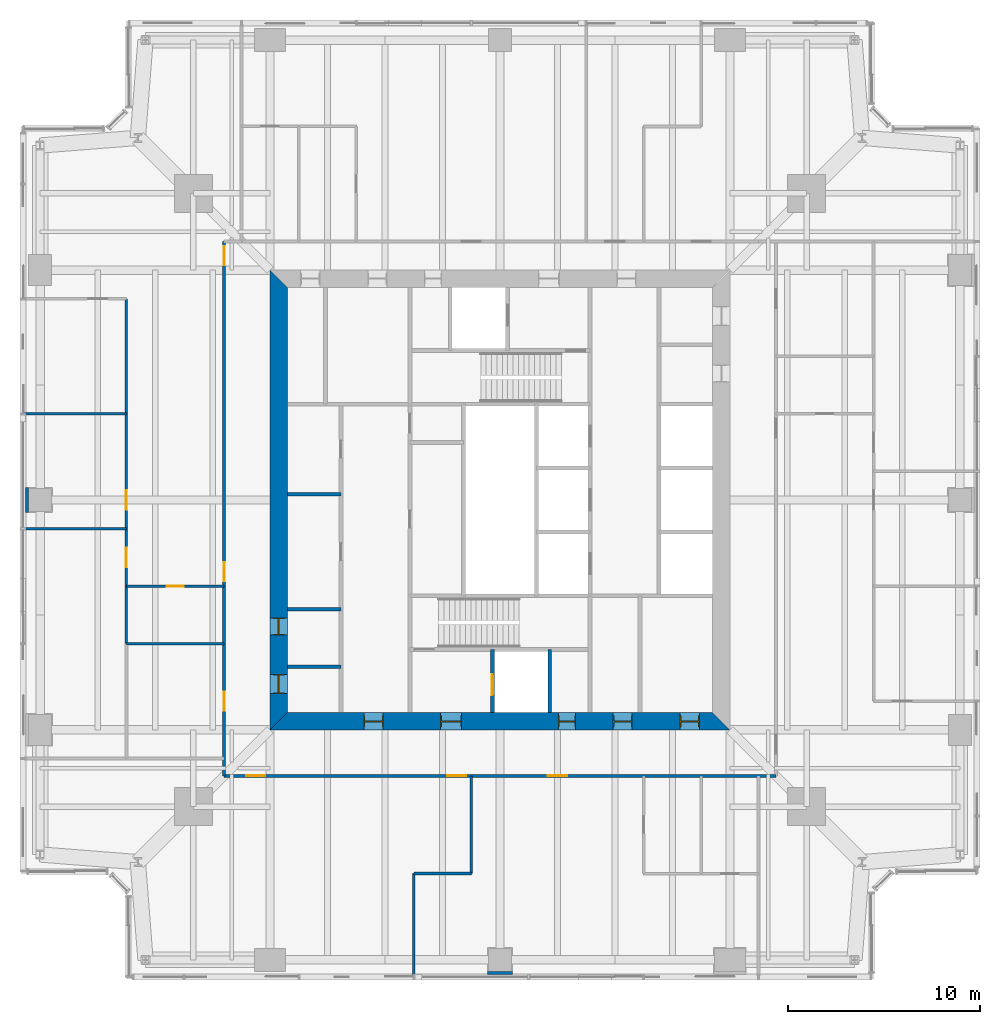
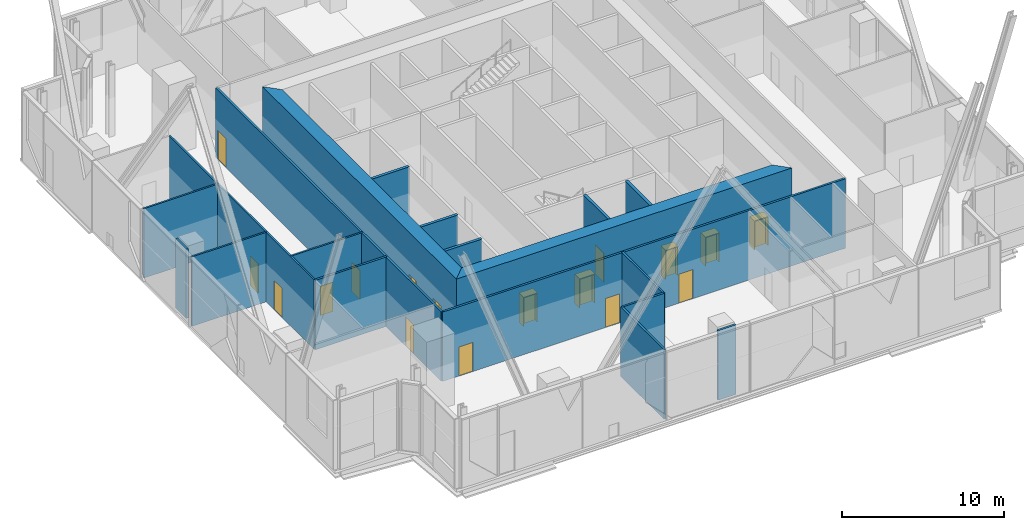
# One storey, part 9 of 14: 19 walls, 17 doors, 17 openings.
"""IFC4 building model written with IfcOpenShell, lengths in metres."""

from ifc_helpers import new_model, si_unit, direction, frame, frame_2d, origin, place, context, subcontext, project, spatial, polyline, rectangle, outline, extrude, material, layer, layer_set, type_object, element, fill, save


model = new_model("IFC4")

# Units and contexts
model_context = context("Model", 3, precision=1e-05, world=origin(), true_north=direction((0.0, 1.0)))
body_context = subcontext(model_context, "Body", "Model", "MODEL_VIEW")
ifc_project = project(units=[si_unit("LENGTHUNIT", "METRE"), si_unit("AREAUNIT", "SQUARE_METRE"), si_unit("VOLUMEUNIT", "CUBIC_METRE"), si_unit("PLANEANGLEUNIT", "RADIAN"), si_unit("MASSUNIT", "GRAM", prefix="KILO")], contexts=[model_context])

# Site, building, storey
site_placement = place(None, origin())
site = spatial("IfcSite", under=ifc_project, at=site_placement, CompositionType="ELEMENT")
building_placement = place(site_placement, origin())
building = spatial("IfcBuilding", under=site, at=building_placement, Name="Fenwick Lantern Interchange", CompositionType="ELEMENT")
storey_placement = place(building_placement, frame((0.0, 0.0, 168.39990234375)))
storey = spatial("IfcBuildingStorey", under=building, at=storey_placement, Name="L39", CompositionType="ELEMENT", Elevation=168.39990234375)

# Walls
ifc_material_1 = material(Name="Fire-rated gypsum board encasement on steel studs, 2 hour", Category="steel")
ifc_layer_1 = layer(ifc_material_1, 1.300048828125)
ifc_layer_set_1 = layer_set([ifc_layer_1], Name="COLUMN PIER 1300")
wall_type_1 = type_object("IfcWallType", Name="COLUMN PIER 1300", PredefinedType="PARTITIONING", material=ifc_layer_set_1)
for number, where, z_axis, x_axis, name in (
    (1, (25.0, 0.25, 0.0), (0.0, 0.0, 1.0), (0.0, 1.0, 0.0), "L39/W/PIER/CS3"),
    (2, (0.25, 25.0, 0.0), (0.0, 0.0, 1.0), (1.0, 0.0, 0.0), "L39/W/PIER/CW3"),
):
    element("IfcWall", number, at=place(storey_placement, frame(where, z_axis=z_axis, x_axis=x_axis)), inside=storey, type_object=wall_type_1, Name=name, PredefinedType="PARTITIONING", context=body_context, shape_type="SweptSolid", body=[
        extrude(rectangle(XDim=0.14990234375, YDim=1.300048828125, at=frame_2d((0.074951171875, 0.0))), origin(), (0.0, 0.0, 1.0), 5.25),
    ])

# Wall, opening, door
ifc_material_2 = material(Name="Concrete masonry ASTM C90 Grade N", Category="masonry")
ifc_layer_2 = layer(ifc_material_2, 0.199951171875)
ifc_layer_set_2 = layer_set([ifc_layer_2], Name="Concrete masonry ASTM C90 Grade N")
wall_type_2 = type_object("IfcWallType", Name="CORE PARTITION 200", PredefinedType="PARTITIONING", material=ifc_layer_set_2)
wall_1_placement = place(storey_placement, frame((24.60009765625, 13.89990234375, 0.0), z_axis=(0.0, 0.0, 1.0), x_axis=(0.0, 1.0, 0.0)))
wall_1 = element("IfcWall", 3, at=wall_1_placement, inside=storey, type_object=wall_type_2, Name="L39/W/CORES/h1", PredefinedType="PARTITIONING", context=body_context, shape_type="SweptSolid", body=[
    extrude(rectangle(XDim=3.300048828125, YDim=0.199951171875, at=frame_2d((1.64990234375, 0.0))), origin(), (0.0, 0.0, 1.0), 5.2001953125),
])
opening_1_placement = place(wall_1_placement, frame((0.89990234375, 0.0, 0.0)))
opening_1 = element("IfcOpeningElement", 4, at=opening_1_placement, cuts=wall_1, Name="Opening LD-FL1", PredefinedType="OPENING", context=body_context, shape_type="SweptSolid", body=[
    extrude(rectangle(XDim=1.10009765625, YDim=2.199951171875, at=frame_2d((0.550048828125, 1.10009765625))), frame((0.0, 0.10986328125, 0.0), z_axis=(0.0, -1.0, 0.0), x_axis=(1.0, 0.0, 0.0)), (0.0, 0.0, 1.0), 0.219970703125),
])
ifc_material_3 = material(Name="Steel door and frame", Category="steel")
door_type_1 = type_object("IfcDoorType", Name="LIFT LANDING DOOR 1100 X 2200", OperationType="DOUBLE_DOOR_SLIDING", PredefinedType="DOOR", material=ifc_material_3)
door_1_placement = place(opening_1_placement, origin())
door_1 = element("IfcDoor", 5, at=door_1_placement, inside=storey, type_object=door_type_1, Name="Lift landing door FL1", OperationType="DOUBLE_DOOR_SLIDING", OverallHeight=2.199951171875, OverallWidth=1.10009765625, PredefinedType="DOOR", context=body_context, shape_type="SweptSolid", body=[
    extrude(rectangle(XDim=1.10009765625, YDim=2.199951171875, at=frame_2d((0.550048828125, 1.10009765625))), frame((0.0, 0.02490234375, 0.0), z_axis=(0.0, -1.0, 0.0), x_axis=(1.0, 0.0, 0.0)), (0.0, 0.0, 1.0), 0.050048828125),
])
fill(opening_1, door_1)

# Walls
wall_2_placement = place(storey_placement, frame((27.60009765625, 13.89990234375, 0.0), z_axis=(0.0, 0.0, 1.0), x_axis=(0.0, 1.0, 0.0)))
element("IfcWall", 6, at=wall_2_placement, inside=storey, type_object=wall_type_2, Name="L39/W/CORES/h2", PredefinedType="PARTITIONING", context=body_context, shape_type="SweptSolid", body=[
    extrude(rectangle(XDim=3.300048828125, YDim=0.199951171875, at=frame_2d((1.64990234375, 0.0))), origin(), (0.0, 0.0, 1.0), 5.2001953125),
])
for number, where, z_axis, x_axis, name in (
    (7, (13.89990234375, 16.300048828125, 0.0), (0.0, 0.0, 1.0), (1.0, 0.0, 0.0), "L39/W/CORES/p1"),
    (8, (13.89990234375, 19.300048828125, 0.0), (0.0, 0.0, 1.0), (1.0, 0.0, 0.0), "L39/W/CORES/p2"),
    (9, (13.89990234375, 25.300048828125, 0.0), (0.0, 0.0, 1.0), (1.0, 0.0, 0.0), "L39/W/CORES/p3"),
):
    element("IfcWall", number, at=place(storey_placement, frame(where, z_axis=z_axis, x_axis=x_axis)), inside=storey, type_object=wall_type_2, Name=name, PredefinedType="PARTITIONING", context=body_context, shape_type="SweptSolid", body=[
        extrude(rectangle(XDim=2.800048828125, YDim=0.199951171875, at=frame_2d((1.39990234375, 0.0))), origin(), (0.0, 0.0, 1.0), 5.2001953125),
    ])

# Wall, openings, doors
ifc_material_4 = material(Name="Concrete f'c 70 MPa", Category="concrete")
ifc_layer_3 = layer(ifc_material_4, 0.89990234375)
ifc_layer_set_3 = layer_set([ifc_layer_3], Name="CORE WALL 900")
wall_type_3 = type_object("IfcWallType", Name="CORE WALL 900", PredefinedType="SHEAR", material=ifc_layer_set_3)
wall_3_placement = place(storey_placement, frame((13.0, 13.449951171875, 0.0), z_axis=(0.0, 0.0, 1.0), x_axis=(1.0, 0.0, 0.0)))
wall_3 = element("IfcWall", 10, at=wall_3_placement, inside=storey, type_object=wall_type_3, Name="L39/CORE/S", PredefinedType="SHEAR", context=body_context, shape_type="SweptSolid", body=[
    extrude(outline(polyline([(0.0, -0.449951171875), (24.0, -0.449951171875), (23.10009765625, 0.449951171875), (0.89990234375, 0.449951171875), (0.0, -0.449951171875)])), origin(), (0.0, 0.0, 1.0), 5.400146484375),
])
opening_2_placement = place(wall_3_placement, frame((4.89990234375, 0.0, 0.0)))
opening_2 = element("IfcOpeningElement", 11, at=opening_2_placement, cuts=wall_3, Name="Opening L39-D001", PredefinedType="OPENING", context=body_context, shape_type="SweptSolid", body=[
    extrude(rectangle(XDim=1.0, YDim=2.199951171875, at=frame_2d((0.5, 1.10009765625))), frame((0.0, 0.4599609375, 0.0), z_axis=(0.0, -1.0, 0.0), x_axis=(1.0, 0.0, 0.0)), (0.0, 0.0, 1.0), 0.919921875),
])
opening_3_placement = place(wall_3_placement, frame((8.89990234375, 0.0, 0.0)))
opening_3 = element("IfcOpeningElement", 12, at=opening_3_placement, cuts=wall_3, Name="Opening L39-D002", PredefinedType="OPENING", context=body_context, shape_type="SweptSolid", body=[
    extrude(rectangle(XDim=1.10009765625, YDim=2.199951171875, at=frame_2d((0.550048828125, 1.10009765625))), frame((0.0, 0.4599609375, 0.0), z_axis=(0.0, -1.0, 0.0), x_axis=(1.0, 0.0, 0.0)), (0.0, 0.0, 1.0), 0.919921875),
])
opening_4_placement = place(wall_3_placement, frame((15.050048828125, 0.0, 0.0)))
opening_4 = element("IfcOpeningElement", 13, at=opening_4_placement, cuts=wall_3, Name="Opening L39-D004", PredefinedType="OPENING", context=body_context, shape_type="SweptSolid", body=[
    extrude(rectangle(XDim=0.89990234375, YDim=2.199951171875, at=frame_2d((0.449951171875, 1.10009765625))), frame((0.0, 0.4599609375, 0.0), z_axis=(0.0, -1.0, 0.0), x_axis=(1.0, 0.0, 0.0)), (0.0, 0.0, 1.0), 0.919921875),
])
opening_5_placement = place(wall_3_placement, frame((17.89990234375, 0.0, 0.0)))
opening_5 = element("IfcOpeningElement", 14, at=opening_5_placement, cuts=wall_3, Name="Opening L39-D005", PredefinedType="OPENING", context=body_context, shape_type="SweptSolid", body=[
    extrude(rectangle(XDim=1.0, YDim=2.199951171875, at=frame_2d((0.5, 1.10009765625))), frame((0.0, 0.4599609375, 0.0), z_axis=(0.0, -1.0, 0.0), x_axis=(1.0, 0.0, 0.0)), (0.0, 0.0, 1.0), 0.919921875),
])
opening_6_placement = place(wall_3_placement, frame((21.39990234375, 0.0, 0.0)))
opening_6 = element("IfcOpeningElement", 15, at=opening_6_placement, cuts=wall_3, Name="Opening L39-D006", PredefinedType="OPENING", context=body_context, shape_type="SweptSolid", body=[
    extrude(rectangle(XDim=1.0, YDim=2.199951171875, at=frame_2d((0.5, 1.10009765625))), frame((0.0, 0.4599609375, 0.0), z_axis=(0.0, -1.0, 0.0), x_axis=(1.0, 0.0, 0.0)), (0.0, 0.0, 1.0), 0.919921875),
])
door_type_2 = type_object("IfcDoorType", Name="CORE LOBBY DOOR 1000 X 2200", OperationType="SINGLE_SWING_LEFT", PredefinedType="DOOR", material=ifc_material_3)
door_2_placement = place(opening_2_placement, origin())
door_2 = element("IfcDoor", 16, at=door_2_placement, inside=storey, type_object=door_type_2, Name="Core lobby door", OperationType="SINGLE_SWING_LEFT", OverallHeight=2.199951171875, OverallWidth=1.0, PredefinedType="DOOR", context=body_context, shape_type="SweptSolid", body=[
    extrude(rectangle(XDim=1.0, YDim=2.199951171875, at=frame_2d((0.5, 1.10009765625))), frame((0.0, 0.02490234375, 0.0), z_axis=(0.0, -1.0, 0.0), x_axis=(1.0, 0.0, 0.0)), (0.0, 0.0, 1.0), 0.050048828125),
    extrude(outline(polyline([(0.0, 0.0), (0.0400390625, 0.0), (0.0400390625, 2.159912109375), (0.9599609375, 2.159912109375), (0.9599609375, 0.0), (1.0, 0.0), (1.0, 2.199951171875), (0.0, 2.199951171875), (0.0, 0.0)])), frame((0.0, 0.300048828125, 0.0), z_axis=(0.0, -1.0, 0.0), x_axis=(1.0, 0.0, 0.0)), (0.0, 0.0, 1.0), 0.60009765625),
])
fill(opening_2, door_2)
door_type_3 = type_object("IfcDoorType", Name="FIRE LOBBY DOOR 1100 X 2200", OperationType="SINGLE_SWING_LEFT", PredefinedType="DOOR", material=ifc_material_3)
door_3_placement = place(opening_3_placement, origin())
door_3 = element("IfcDoor", 17, at=door_3_placement, inside=storey, type_object=door_type_3, Name="Fire lobby door", OperationType="SINGLE_SWING_LEFT", OverallHeight=2.199951171875, OverallWidth=1.10009765625, PredefinedType="DOOR", context=body_context, shape_type="SweptSolid", body=[
    extrude(rectangle(XDim=1.10009765625, YDim=2.199951171875, at=frame_2d((0.550048828125, 1.10009765625))), frame((0.0, 0.02490234375, 0.0), z_axis=(0.0, -1.0, 0.0), x_axis=(1.0, 0.0, 0.0)), (0.0, 0.0, 1.0), 0.050048828125),
    extrude(outline(polyline([(0.0, 0.0), (0.0400390625, 0.0), (0.0400390625, 2.159912109375), (1.06005859375, 2.159912109375), (1.06005859375, 0.0), (1.10009765625, 0.0), (1.10009765625, 2.199951171875), (0.0, 2.199951171875), (0.0, 0.0)])), frame((0.0, 0.300048828125, 0.0), z_axis=(0.0, -1.0, 0.0), x_axis=(1.0, 0.0, 0.0)), (0.0, 0.0, 1.0), 0.60009765625),
])
fill(opening_3, door_3)
door_type_4 = type_object("IfcDoorType", Name="SERVICE DOOR 900 X 2200", OperationType="SINGLE_SWING_LEFT", PredefinedType="DOOR", material=ifc_material_3)
door_4_placement = place(opening_4_placement, origin())
door_4 = element("IfcDoor", 18, at=door_4_placement, inside=storey, type_object=door_type_4, Name="Service door", OperationType="SINGLE_SWING_LEFT", OverallHeight=2.199951171875, OverallWidth=0.89990234375, PredefinedType="DOOR", context=body_context, shape_type="SweptSolid", body=[
    extrude(rectangle(XDim=0.89990234375, YDim=2.199951171875, at=frame_2d((0.449951171875, 1.10009765625))), frame((0.0, 0.02490234375, 0.0), z_axis=(0.0, -1.0, 0.0), x_axis=(1.0, 0.0, 0.0)), (0.0, 0.0, 1.0), 0.050048828125),
    extrude(outline(polyline([(0.0, 0.0), (0.0400390625, 0.0), (0.0400390625, 2.159912109375), (0.85986328125, 2.159912109375), (0.85986328125, 0.0), (0.89990234375, 0.0), (0.89990234375, 2.199951171875), (0.0, 2.199951171875), (0.0, 0.0)])), frame((0.0, 0.300048828125, 0.0), z_axis=(0.0, -1.0, 0.0), x_axis=(1.0, 0.0, 0.0)), (0.0, 0.0, 1.0), 0.60009765625),
])
fill(opening_4, door_4)
ifc_material_5 = material(Name="Hardwood door and steel frame", Category="steel")
door_type_5 = type_object("IfcDoorType", Name="WC DOOR 1000 X 2200", OperationType="SINGLE_SWING_LEFT", PredefinedType="DOOR", material=ifc_material_5)
door_5_placement = place(opening_5_placement, origin())
door_5 = element("IfcDoor", 19, at=door_5_placement, inside=storey, type_object=door_type_5, Name="Wc door", OperationType="SINGLE_SWING_RIGHT", OverallHeight=2.199951171875, OverallWidth=1.0, PredefinedType="DOOR", context=body_context, shape_type="SweptSolid", body=[
    extrude(rectangle(XDim=1.0, YDim=2.199951171875, at=frame_2d((0.5, 1.10009765625))), frame((0.0, 0.02490234375, 0.0), z_axis=(0.0, -1.0, 0.0), x_axis=(1.0, 0.0, 0.0)), (0.0, 0.0, 1.0), 0.050048828125),
    extrude(outline(polyline([(0.0, 0.0), (0.0400390625, 0.0), (0.0400390625, 2.159912109375), (0.9599609375, 2.159912109375), (0.9599609375, 0.0), (1.0, 0.0), (1.0, 2.199951171875), (0.0, 2.199951171875), (0.0, 0.0)])), frame((0.0, 0.300048828125, 0.0), z_axis=(0.0, -1.0, 0.0), x_axis=(1.0, 0.0, 0.0)), (0.0, 0.0, 1.0), 0.60009765625),
])
fill(opening_5, door_5)
door_6_placement = place(opening_6_placement, origin())
door_6 = element("IfcDoor", 20, at=door_6_placement, inside=storey, type_object=door_type_5, Name="Wc door", OperationType="SINGLE_SWING_RIGHT", OverallHeight=2.199951171875, OverallWidth=1.0, PredefinedType="DOOR", context=body_context, shape_type="SweptSolid", body=[
    extrude(rectangle(XDim=1.0, YDim=2.199951171875, at=frame_2d((0.5, 1.10009765625))), frame((0.0, 0.02490234375, 0.0), z_axis=(0.0, -1.0, 0.0), x_axis=(1.0, 0.0, 0.0)), (0.0, 0.0, 1.0), 0.050048828125),
    extrude(outline(polyline([(0.0, 0.0), (0.0400390625, 0.0), (0.0400390625, 2.159912109375), (0.9599609375, 2.159912109375), (0.9599609375, 0.0), (1.0, 0.0), (1.0, 2.199951171875), (0.0, 2.199951171875), (0.0, 0.0)])), frame((0.0, 0.300048828125, 0.0), z_axis=(0.0, -1.0, 0.0), x_axis=(1.0, 0.0, 0.0)), (0.0, 0.0, 1.0), 0.60009765625),
])
fill(opening_6, door_6)

wall_4_placement = place(storey_placement, frame((13.449951171875, 36.10009765625, 0.0), z_axis=(0.0, 0.0, 1.0), x_axis=(0.0, -1.0, 0.0)))
wall_4 = element("IfcWall", 21, at=wall_4_placement, inside=storey, type_object=wall_type_3, Name="L39/CORE/W", PredefinedType="SHEAR", context=body_context, shape_type="SweptSolid", body=[
    extrude(outline(polyline([(-0.89990234375, -0.449951171875), (23.10009765625, -0.449951171875), (22.199951171875, 0.449951171875), (0.0, 0.449951171875), (-0.89990234375, -0.449951171875)])), origin(), (0.0, 0.0, 1.0), 5.400146484375),
])
opening_7_placement = place(wall_4_placement, frame((20.199951171875, 0.0, 0.0)))
opening_7 = element("IfcOpeningElement", 22, at=opening_7_placement, cuts=wall_4, Name="Opening L39-D007", PredefinedType="OPENING", context=body_context, shape_type="SweptSolid", body=[
    extrude(rectangle(XDim=1.0, YDim=2.199951171875, at=frame_2d((0.5, 1.10009765625))), frame((0.0, 0.4599609375, 0.0), z_axis=(0.0, -1.0, 0.0), x_axis=(1.0, 0.0, 0.0)), (0.0, 0.0, 1.0), 0.919921875),
])
opening_8_placement = place(wall_4_placement, frame((17.25, 0.0, 0.0)))
opening_8 = element("IfcOpeningElement", 23, at=opening_8_placement, cuts=wall_4, Name="Opening L39-D008", PredefinedType="OPENING", context=body_context, shape_type="SweptSolid", body=[
    extrude(rectangle(XDim=0.89990234375, YDim=2.199951171875, at=frame_2d((0.449951171875, 1.10009765625))), frame((0.0, 0.4599609375, 0.0), z_axis=(0.0, -1.0, 0.0), x_axis=(1.0, 0.0, 0.0)), (0.0, 0.0, 1.0), 0.919921875),
])
door_7_placement = place(opening_8_placement, origin())
door_7 = element("IfcDoor", 24, at=door_7_placement, inside=storey, type_object=door_type_4, Name="Service door", OperationType="SINGLE_SWING_LEFT", OverallHeight=2.199951171875, OverallWidth=0.89990234375, PredefinedType="DOOR", context=body_context, shape_type="SweptSolid", body=[
    extrude(rectangle(XDim=0.89990234375, YDim=2.199951171875, at=frame_2d((0.449951171875, 1.10009765625))), frame((0.0, 0.02490234375, 0.0), z_axis=(0.0, -1.0, 0.0), x_axis=(1.0, 0.0, 0.0)), (0.0, 0.0, 1.0), 0.050048828125),
    extrude(outline(polyline([(0.0, 0.0), (0.0400390625, 0.0), (0.0400390625, 2.159912109375), (0.85986328125, 2.159912109375), (0.85986328125, 0.0), (0.89990234375, 0.0), (0.89990234375, 2.199951171875), (0.0, 2.199951171875), (0.0, 0.0)])), frame((0.0, 0.300048828125, 0.0), z_axis=(0.0, -1.0, 0.0), x_axis=(1.0, 0.0, 0.0)), (0.0, 0.0, 1.0), 0.60009765625),
])
fill(opening_8, door_7)
door_8_placement = place(opening_7_placement, origin())
door_8 = element("IfcDoor", 25, at=door_8_placement, inside=storey, type_object=door_type_5, Name="Wc door", OperationType="SINGLE_SWING_LEFT", OverallHeight=2.199951171875, OverallWidth=1.0, PredefinedType="DOOR", context=body_context, shape_type="SweptSolid", body=[
    extrude(rectangle(XDim=1.0, YDim=2.199951171875, at=frame_2d((0.5, 1.10009765625))), frame((0.0, 0.02490234375, 0.0), z_axis=(0.0, -1.0, 0.0), x_axis=(1.0, 0.0, 0.0)), (0.0, 0.0, 1.0), 0.050048828125),
    extrude(outline(polyline([(0.0, 0.0), (0.0400390625, 0.0), (0.0400390625, 2.159912109375), (0.9599609375, 2.159912109375), (0.9599609375, 0.0), (1.0, 0.0), (1.0, 2.199951171875), (0.0, 2.199951171875), (0.0, 0.0)])), frame((0.0, 0.300048828125, 0.0), z_axis=(0.0, -1.0, 0.0), x_axis=(1.0, 0.0, 0.0)), (0.0, 0.0, 1.0), 0.60009765625),
])
fill(opening_7, door_8)

ifc_material_6 = material(Name="Gypsum board on steel studs, 1 hour", Category="steel")
ifc_layer_4 = layer(ifc_material_6, 0.14990234375)
ifc_layer_set_4 = layer_set([ifc_layer_4], Name="CORRIDOR WALL 150")
wall_type_4 = type_object("IfcWallType", Name="CORRIDOR WALL 150", PredefinedType="PARTITIONING", material=ifc_layer_set_4)
wall_5_placement = place(storey_placement, frame((10.60009765625, 10.60009765625, 0.0), z_axis=(0.0, 0.0, 1.0), x_axis=(1.0, 0.0, 0.0)))
wall_5 = element("IfcWall", 26, at=wall_5_placement, inside=storey, type_object=wall_type_4, Name="L39/W/OFF/S/CW2", PredefinedType="PARTITIONING", context=body_context, shape_type="SweptSolid", body=[
    extrude(rectangle(XDim=28.7998046875, YDim=0.14990234375, at=frame_2d((14.39990234375, 0.0))), origin(), (0.0, 0.0, 1.0), 5.25),
])
opening_9_placement = place(wall_5_placement, frame((1.14990234375, 0.0, 0.0)))
opening_9 = element("IfcOpeningElement", 27, at=opening_9_placement, cuts=wall_5, Name="Opening L39-D021", PredefinedType="OPENING", context=body_context, shape_type="SweptSolid", body=[
    extrude(rectangle(XDim=1.0, YDim=2.199951171875, at=frame_2d((0.5, 1.10009765625))), frame((0.0, 0.0849609375, 0.0), z_axis=(0.0, -1.0, 0.0), x_axis=(1.0, 0.0, 0.0)), (0.0, 0.0, 1.0), 0.169921875),
])
opening_10_placement = place(wall_5_placement, frame((11.64990234375, 0.0, 0.0)))
opening_10 = element("IfcOpeningElement", 28, at=opening_10_placement, cuts=wall_5, Name="Opening L39-D022", PredefinedType="OPENING", context=body_context, shape_type="SweptSolid", body=[
    extrude(rectangle(XDim=1.0, YDim=2.199951171875, at=frame_2d((0.5, 1.10009765625))), frame((0.0, 0.0849609375, 0.0), z_axis=(0.0, -1.0, 0.0), x_axis=(1.0, 0.0, 0.0)), (0.0, 0.0, 1.0), 0.169921875),
])
opening_11_placement = place(wall_5_placement, frame((16.89990234375, 0.0, 0.0)))
opening_11 = element("IfcOpeningElement", 29, at=opening_11_placement, cuts=wall_5, Name="Opening L39-D023", PredefinedType="OPENING", context=body_context, shape_type="SweptSolid", body=[
    extrude(rectangle(XDim=1.0, YDim=2.199951171875, at=frame_2d((0.5, 1.10009765625))), frame((0.0, 0.0849609375, 0.0), z_axis=(0.0, -1.0, 0.0), x_axis=(1.0, 0.0, 0.0)), (0.0, 0.0, 1.0), 0.169921875),
])
door_type_6 = type_object("IfcDoorType", Name="SUITE ENTRANCE DOOR 1000 X 2200", OperationType="SINGLE_SWING_LEFT", PredefinedType="DOOR", material=ifc_material_3)
door_9_placement = place(opening_9_placement, origin())
door_9 = element("IfcDoor", 30, at=door_9_placement, inside=storey, type_object=door_type_6, Name="Suite entrance door", OperationType="SINGLE_SWING_LEFT", OverallHeight=2.199951171875, OverallWidth=1.0, PredefinedType="DOOR", context=body_context, shape_type="SweptSolid", body=[
    extrude(rectangle(XDim=1.0, YDim=2.199951171875, at=frame_2d((0.5, 1.10009765625))), frame((0.0, 0.02490234375, 0.0), z_axis=(0.0, -1.0, 0.0), x_axis=(1.0, 0.0, 0.0)), (0.0, 0.0, 1.0), 0.050048828125),
])
fill(opening_9, door_9)
door_10_placement = place(opening_10_placement, origin())
door_10 = element("IfcDoor", 31, at=door_10_placement, inside=storey, type_object=door_type_6, Name="Suite entrance door", OperationType="SINGLE_SWING_LEFT", OverallHeight=2.199951171875, OverallWidth=1.0, PredefinedType="DOOR", context=body_context, shape_type="SweptSolid", body=[
    extrude(rectangle(XDim=1.0, YDim=2.199951171875, at=frame_2d((0.5, 1.10009765625))), frame((0.0, 0.02490234375, 0.0), z_axis=(0.0, -1.0, 0.0), x_axis=(1.0, 0.0, 0.0)), (0.0, 0.0, 1.0), 0.050048828125),
])
fill(opening_10, door_10)
door_11_placement = place(opening_11_placement, frame((1.0, 0.0, 0.0), z_axis=(0.0, 0.0, 1.0), x_axis=(-1.0, 0.0, 0.0)))
door_11 = element("IfcDoor", 32, at=door_11_placement, inside=storey, type_object=door_type_6, Name="Suite entrance door", OperationType="SINGLE_SWING_RIGHT", OverallHeight=2.199951171875, OverallWidth=1.0, PredefinedType="DOOR", context=body_context, shape_type="SweptSolid", body=[
    extrude(rectangle(XDim=1.0, YDim=2.199951171875, at=frame_2d((0.5, 1.10009765625))), frame((0.0, 0.02490234375, 0.0), z_axis=(0.0, -1.0, 0.0), x_axis=(1.0, 0.0, 0.0)), (0.0, 0.0, 1.0), 0.050048828125),
])
fill(opening_11, door_11)

wall_6_placement = place(storey_placement, frame((10.60009765625, 38.5, 0.0), z_axis=(0.0, 0.0, 1.0), x_axis=(0.0, -1.0, 0.0)))
wall_6 = element("IfcWall", 33, at=wall_6_placement, inside=storey, type_object=wall_type_4, Name="L39/W/OFF/W/CW2", PredefinedType="PARTITIONING", context=body_context, shape_type="SweptSolid", body=[
    extrude(rectangle(XDim=27.89990234375, YDim=0.14990234375, at=frame_2d((13.949951171875, 0.0))), origin(), (0.0, 0.0, 1.0), 5.25),
])
opening_12_placement = place(wall_6_placement, frame((0.25, 0.0, 0.0)))
opening_12 = element("IfcOpeningElement", 34, at=opening_12_placement, cuts=wall_6, Name="Opening L39-D038", PredefinedType="OPENING", context=body_context, shape_type="SweptSolid", body=[
    extrude(rectangle(XDim=1.0, YDim=2.199951171875, at=frame_2d((0.5, 1.10009765625))), frame((0.0, 0.0849609375, 0.0), z_axis=(0.0, -1.0, 0.0), x_axis=(1.0, 0.0, 0.0)), (0.0, 0.0, 1.0), 0.169921875),
])
opening_13_placement = place(wall_6_placement, frame((16.75, 0.0, 0.0)))
opening_13 = element("IfcOpeningElement", 35, at=opening_13_placement, cuts=wall_6, Name="Opening L39-D039", PredefinedType="OPENING", context=body_context, shape_type="SweptSolid", body=[
    extrude(rectangle(XDim=1.0, YDim=2.199951171875, at=frame_2d((0.5, 1.10009765625))), frame((0.0, 0.0849609375, 0.0), z_axis=(0.0, -1.0, 0.0), x_axis=(1.0, 0.0, 0.0)), (0.0, 0.0, 1.0), 0.169921875),
])
opening_14_placement = place(wall_6_placement, frame((23.5, 0.0, 0.0)))
opening_14 = element("IfcOpeningElement", 36, at=opening_14_placement, cuts=wall_6, Name="Opening L39-D044", PredefinedType="OPENING", context=body_context, shape_type="SweptSolid", body=[
    extrude(rectangle(XDim=1.0, YDim=2.199951171875, at=frame_2d((0.5, 1.10009765625))), frame((0.0, 0.0849609375, 0.0), z_axis=(0.0, -1.0, 0.0), x_axis=(1.0, 0.0, 0.0)), (0.0, 0.0, 1.0), 0.169921875),
])
door_12_placement = place(opening_12_placement, origin())
door_12 = element("IfcDoor", 37, at=door_12_placement, inside=storey, type_object=door_type_6, Name="Suite entrance door", OperationType="SINGLE_SWING_LEFT", OverallHeight=2.199951171875, OverallWidth=1.0, PredefinedType="DOOR", context=body_context, shape_type="SweptSolid", body=[
    extrude(rectangle(XDim=1.0, YDim=2.199951171875, at=frame_2d((0.5, 1.10009765625))), frame((0.0, 0.02490234375, 0.0), z_axis=(0.0, -1.0, 0.0), x_axis=(1.0, 0.0, 0.0)), (0.0, 0.0, 1.0), 0.050048828125),
])
fill(opening_12, door_12)
door_13_placement = place(opening_13_placement, origin())
door_13 = element("IfcDoor", 38, at=door_13_placement, inside=storey, type_object=door_type_6, Name="Suite entrance door", OperationType="SINGLE_SWING_RIGHT", OverallHeight=2.199951171875, OverallWidth=1.0, PredefinedType="DOOR", context=body_context, shape_type="SweptSolid", body=[
    extrude(rectangle(XDim=1.0, YDim=2.199951171875, at=frame_2d((0.5, 1.10009765625))), frame((0.0, 0.02490234375, 0.0), z_axis=(0.0, -1.0, 0.0), x_axis=(1.0, 0.0, 0.0)), (0.0, 0.0, 1.0), 0.050048828125),
])
fill(opening_13, door_13)
door_14_placement = place(opening_14_placement, frame((1.0, 0.0, 0.0), z_axis=(0.0, 0.0, 1.0), x_axis=(-1.0, 0.0, 0.0)))
door_14 = element("IfcDoor", 39, at=door_14_placement, inside=storey, type_object=door_type_6, Name="Suite entrance door", OperationType="SINGLE_SWING_RIGHT", OverallHeight=2.199951171875, OverallWidth=1.0, PredefinedType="DOOR", context=body_context, shape_type="SweptSolid", body=[
    extrude(rectangle(XDim=1.0, YDim=2.199951171875, at=frame_2d((0.5, 1.10009765625))), frame((0.0, 0.02490234375, 0.0), z_axis=(0.0, -1.0, 0.0), x_axis=(1.0, 0.0, 0.0)), (0.0, 0.0, 1.0), 0.050048828125),
])
fill(opening_14, door_14)

# Walls
ifc_material_7 = material(Name="Gypsum board on steel studs, acoustic", Category="steel")
ifc_layer_5 = layer(ifc_material_7, 0.125)
ifc_layer_set_5 = layer_set([ifc_layer_5], Name="OFFICE PARTITION 125")
wall_type_5 = type_object("IfcWallType", Name="OFFICE PARTITION 125", PredefinedType="PARTITIONING", material=ifc_layer_set_5)
for number, where, z_axis, x_axis, name in (
    (40, (0.14990234375, 29.5, 0.0), (0.0, 0.0, 1.0), (1.0, 0.0, 0.0), "L39/W/OFF/W/X205-1"),
    (41, (0.14990234375, 23.5, 0.0), (0.0, 0.0, 1.0), (1.0, 0.0, 0.0), "L39/W/OFF/W/X265-1"),
):
    element("IfcWall", number, at=place(storey_placement, frame(where, z_axis=z_axis, x_axis=x_axis)), inside=storey, type_object=wall_type_5, Name=name, PredefinedType="PARTITIONING", context=body_context, shape_type="SweptSolid", body=[
        extrude(rectangle(XDim=5.35009765625, YDim=0.125, at=frame_2d((2.675048828125, 0.0))), origin(), (0.0, 0.0, 1.0), 5.25),
    ])

# Wall, opening, door
wall_7_placement = place(storey_placement, frame((5.5, 20.5, 0.0), z_axis=(0.0, 0.0, 1.0), x_axis=(1.0, 0.0, 0.0)))
wall_7 = element("IfcWall", 42, at=wall_7_placement, inside=storey, type_object=wall_type_5, Name="L39/W/OFF/W/X295-1", PredefinedType="PARTITIONING", context=body_context, shape_type="SweptSolid", body=[
    extrude(rectangle(XDim=5.10009765625, YDim=0.125, at=frame_2d((2.550048828125, 0.0))), origin(), (0.0, 0.0, 1.0), 5.25),
])
opening_15_placement = place(wall_7_placement, frame((2.10009765625, 0.0, 0.0)))
opening_15 = element("IfcOpeningElement", 43, at=opening_15_placement, cuts=wall_7, Name="Opening L39-D043", PredefinedType="OPENING", context=body_context, shape_type="SweptSolid", body=[
    extrude(rectangle(XDim=0.89990234375, YDim=2.199951171875, at=frame_2d((0.449951171875, 1.10009765625))), frame((0.0, 0.072509765625, 0.0), z_axis=(0.0, -1.0, 0.0), x_axis=(1.0, 0.0, 0.0)), (0.0, 0.0, 1.0), 0.14501953125),
])
door_type_7 = type_object("IfcDoorType", Name="OFFICE DOOR 900 X 2200", OperationType="SINGLE_SWING_LEFT", PredefinedType="DOOR", material=ifc_material_5)
door_15_placement = place(opening_15_placement, frame((0.89990234375, 0.0, 0.0), z_axis=(0.0, 0.0, 1.0), x_axis=(-1.0, 0.0, 0.0)))
door_15 = element("IfcDoor", 44, at=door_15_placement, inside=storey, type_object=door_type_7, Name="Office door", OperationType="SINGLE_SWING_RIGHT", OverallHeight=2.199951171875, OverallWidth=0.89990234375, PredefinedType="DOOR", context=body_context, shape_type="SweptSolid", body=[
    extrude(rectangle(XDim=0.89990234375, YDim=2.199951171875, at=frame_2d((0.449951171875, 1.10009765625))), frame((0.0, 0.02490234375, 0.0), z_axis=(0.0, -1.0, 0.0), x_axis=(1.0, 0.0, 0.0)), (0.0, 0.0, 1.0), 0.050048828125),
])
fill(opening_15, door_15)

# Wall, openings, doors
wall_8_placement = place(storey_placement, frame((5.5, 35.5, 0.0), z_axis=(0.0, 0.0, 1.0), x_axis=(0.0, -1.0, 0.0)))
wall_8 = element("IfcWall", 45, at=wall_8_placement, inside=storey, type_object=wall_type_5, Name="L39/W/OFF/W/Y55-1", PredefinedType="PARTITIONING", context=body_context, shape_type="SweptSolid", body=[
    extrude(rectangle(XDim=18.0, YDim=0.125, at=frame_2d((9.0, 0.0))), origin(), (0.0, 0.0, 1.0), 5.25),
])
opening_16_placement = place(wall_8_placement, frame((10.0, 0.0, 0.0)))
opening_16 = element("IfcOpeningElement", 46, at=opening_16_placement, cuts=wall_8, Name="Opening L39-D041", PredefinedType="OPENING", context=body_context, shape_type="SweptSolid", body=[
    extrude(rectangle(XDim=1.0, YDim=2.199951171875, at=frame_2d((0.5, 1.10009765625))), frame((0.0, 0.072509765625, 0.0), z_axis=(0.0, -1.0, 0.0), x_axis=(1.0, 0.0, 0.0)), (0.0, 0.0, 1.0), 0.14501953125),
])
opening_17_placement = place(wall_8_placement, frame((13.0, 0.0, 0.0)))
opening_17 = element("IfcOpeningElement", 47, at=opening_17_placement, cuts=wall_8, Name="Opening L39-D042", PredefinedType="OPENING", context=body_context, shape_type="SweptSolid", body=[
    extrude(rectangle(XDim=1.0, YDim=2.199951171875, at=frame_2d((0.5, 1.10009765625))), frame((0.0, 0.072509765625, 0.0), z_axis=(0.0, -1.0, 0.0), x_axis=(1.0, 0.0, 0.0)), (0.0, 0.0, 1.0), 0.14501953125),
])
door_type_8 = type_object("IfcDoorType", Name="MEETING ROOM DOOR 1000 X 2200", OperationType="SINGLE_SWING_LEFT", PredefinedType="DOOR", material=ifc_material_5)
door_16_placement = place(opening_16_placement, frame((1.0, 0.0, 0.0), z_axis=(0.0, 0.0, 1.0), x_axis=(-1.0, 0.0, 0.0)))
door_16 = element("IfcDoor", 48, at=door_16_placement, inside=storey, type_object=door_type_8, Name="Meeting room door", OperationType="SINGLE_SWING_LEFT", OverallHeight=2.199951171875, OverallWidth=1.0, PredefinedType="DOOR", context=body_context, shape_type="SweptSolid", body=[
    extrude(rectangle(XDim=1.0, YDim=2.199951171875, at=frame_2d((0.5, 1.10009765625))), frame((0.0, 0.02490234375, 0.0), z_axis=(0.0, -1.0, 0.0), x_axis=(1.0, 0.0, 0.0)), (0.0, 0.0, 1.0), 0.050048828125),
])
fill(opening_16, door_16)
door_17_placement = place(opening_17_placement, frame((1.0, 0.0, 0.0), z_axis=(0.0, 0.0, 1.0), x_axis=(-1.0, 0.0, 0.0)))
door_17 = element("IfcDoor", 49, at=door_17_placement, inside=storey, type_object=door_type_8, Name="Meeting room door", OperationType="SINGLE_SWING_RIGHT", OverallHeight=2.199951171875, OverallWidth=1.0, PredefinedType="DOOR", context=body_context, shape_type="SweptSolid", body=[
    extrude(rectangle(XDim=1.0, YDim=2.199951171875, at=frame_2d((0.5, 1.10009765625))), frame((0.0, 0.02490234375, 0.0), z_axis=(0.0, -1.0, 0.0), x_axis=(1.0, 0.0, 0.0)), (0.0, 0.0, 1.0), 0.050048828125),
])
fill(opening_17, door_17)

# Walls
ifc_material_8 = material(Name="Gypsum board on steel studs, 1 hour acoustic", Category="steel")
ifc_layer_6 = layer(ifc_material_8, 0.14990234375)
ifc_layer_set_6 = layer_set([ifc_layer_6], Name="TENANT WALL 150")
wall_type_6 = type_object("IfcWallType", Name="TENANT WALL 150", PredefinedType="PARTITIONING", material=ifc_layer_set_6)
wall_9_placement = place(storey_placement, frame((20.5, 0.14990234375, 0.0), z_axis=(0.0, 0.0, 1.0), x_axis=(0.0, 1.0, 0.0)))
element("IfcWall", 50, at=wall_9_placement, inside=storey, type_object=wall_type_6, Name="L39/W/OFF/S/X205-1", PredefinedType="PARTITIONING", context=body_context, shape_type="SweptSolid", body=[
    extrude(rectangle(XDim=5.35009765625, YDim=0.14990234375, at=frame_2d((2.675048828125, 0.0))), origin(), (0.0, 0.0, 1.0), 5.25),
])
wall_10_placement = place(storey_placement, frame((23.5, 5.5, 0.0), z_axis=(0.0, 0.0, 1.0), x_axis=(0.0, 1.0, 0.0)))
element("IfcWall", 51, at=wall_10_placement, inside=storey, type_object=wall_type_6, Name="L39/W/OFF/S/X235-1", PredefinedType="PARTITIONING", context=body_context, shape_type="SweptSolid", body=[
    extrude(rectangle(XDim=5.10009765625, YDim=0.14990234375, at=frame_2d((2.550048828125, 0.0))), origin(), (0.0, 0.0, 1.0), 5.25),
])
wall_11_placement = place(storey_placement, frame((20.5, 5.5, 0.0), z_axis=(0.0, 0.0, 1.0), x_axis=(1.0, 0.0, 0.0)))
element("IfcWall", 52, at=wall_11_placement, inside=storey, type_object=wall_type_6, Name="L39/W/OFF/S/Y55-1", PredefinedType="PARTITIONING", context=body_context, shape_type="SweptSolid", body=[
    extrude(rectangle(XDim=3.0, YDim=0.14990234375, at=frame_2d((1.5, 0.0))), origin(), (0.0, 0.0, 1.0), 5.25),
])
wall_12_placement = place(storey_placement, frame((5.5, 17.5, 0.0), z_axis=(0.0, 0.0, 1.0), x_axis=(1.0, 0.0, 0.0)))
element("IfcWall", 53, at=wall_12_placement, inside=storey, type_object=wall_type_6, Name="L39/W/OFF/W/X325-1", PredefinedType="PARTITIONING", context=body_context, shape_type="SweptSolid", body=[
    extrude(rectangle(XDim=5.10009765625, YDim=0.14990234375, at=frame_2d((2.550048828125, 0.0))), origin(), (0.0, 0.0, 1.0), 5.25),
])

save(model, "model.ifc")
